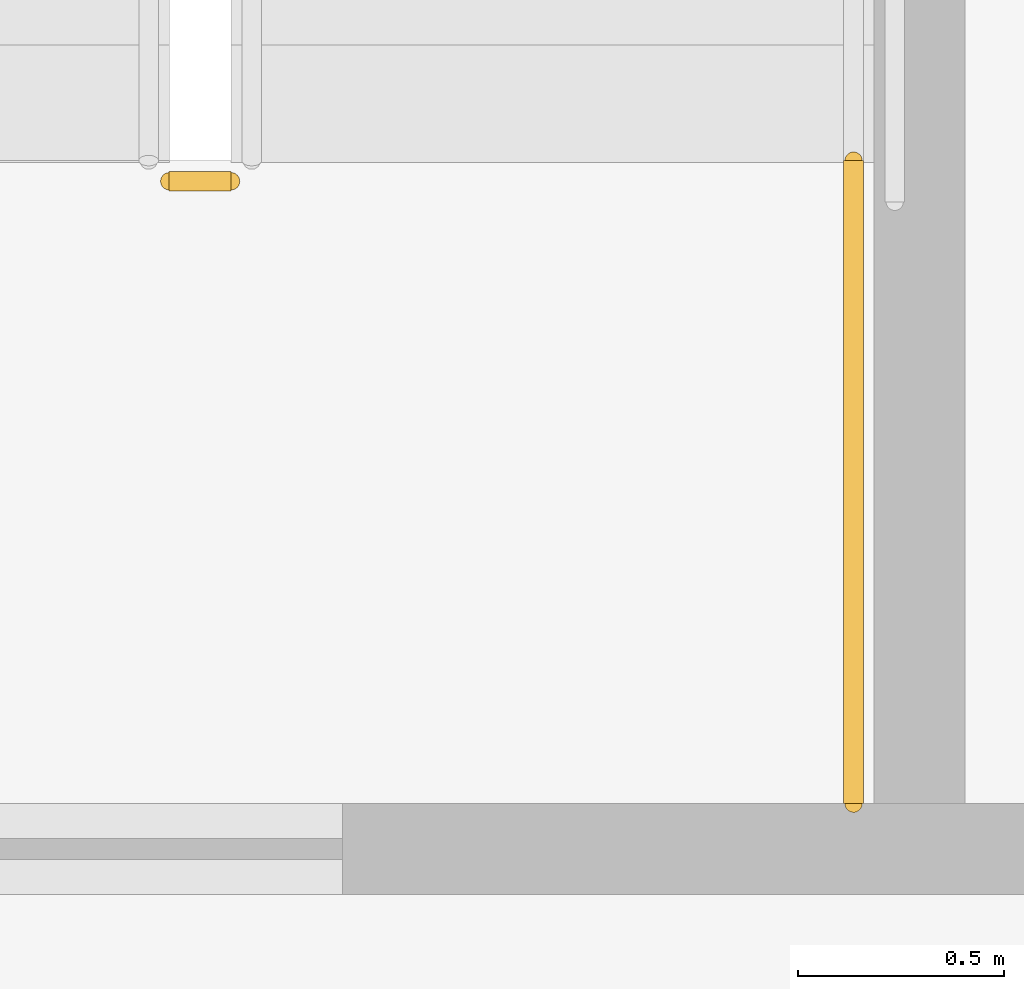
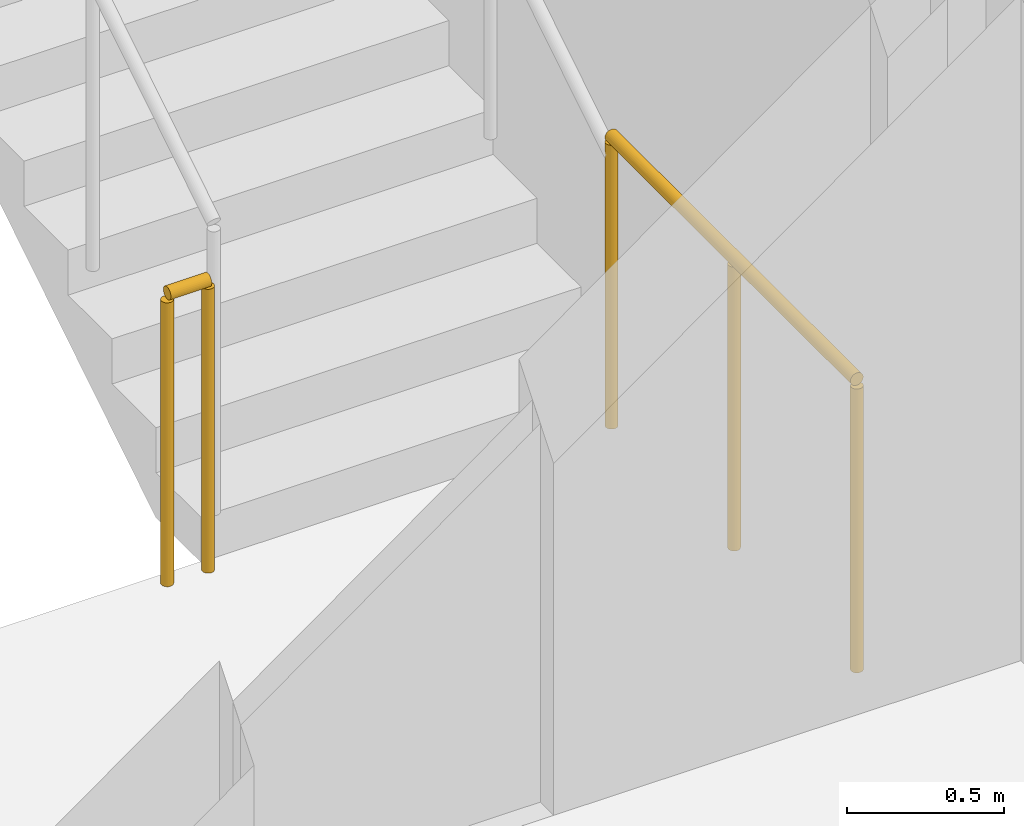
# One storey, part 12 of 15: 2 railings.
"""IFC4 building model written with IfcOpenShell, lengths in metres."""

import ifcopenshell
import ifcopenshell.guid

model = None  # the IFC model being written
_history = None  # IfcOwnerHistory: only IFC2X3 demands one
_inside = {}  # id of a spatial element -> (the spatial element, [elements in it])
_under = {}  # id of a project, library or spatial element -> (it, [spatial elements below it])
_declared = {}  # id of a project -> (the project, [libraries it declares])
_typed = {}  # id of a type object -> (the type object, [elements of that type])
_made_of = {}  # id of a material, layer set ... -> (it, [elements and type objects made of it])


def new_model(schema):
    """Start an empty IFC model of exactly this schema.

    Asked for "IFC4X3", IfcOpenShell would pick the latest addendum, in which some entities
    have other attributes; the version numbers below select the first issue.
    IFC2X3 requires an IfcOwnerHistory on every rooted entity: one is made here for all.
    """
    global model, _history
    if schema == "IFC4X3":
        model = ifcopenshell.file(schema_version=(4, 3, 0, 0))
    else:
        model = ifcopenshell.file(schema=schema)
    _inside.clear()
    _under.clear()
    _declared.clear()
    _typed.clear()
    _made_of.clear()
    _history = None
    if model.schema == "IFC2X3":
        org = make("IfcOrganization", Name="unknown")
        user = make(
            "IfcPersonAndOrganization",
            ThePerson=make("IfcPerson", FamilyName="unknown"),
            TheOrganization=org,
        )
        app = make(
            "IfcApplication",
            ApplicationDeveloper=org,
            Version="unknown",
            ApplicationFullName="unknown",
            ApplicationIdentifier="unknown",
        )
        _history = make(
            "IfcOwnerHistory",
            OwningUser=user,
            OwningApplication=app,
            ChangeAction="ADDED",
            CreationDate=0,
        )
    return model


def make(cls, **values):
    """One entity of the class cls with the attributes given. An attribute that is None is left unset."""
    return model.create_entity(
        cls, **{name: value for name, value in values.items() if value is not None}
    )


def rooted(cls, **values):
    """An entity with a GlobalId (a new one), such as an element, a storey or a relation."""
    return make(cls, GlobalId=ifcopenshell.guid.new(), OwnerHistory=_history, **values)


def si_unit(unit_type, name, prefix=None):
    """IfcSIUnit, for example si_unit("LENGTHUNIT", "METRE", prefix="MILLI")."""
    return make("IfcSIUnit", UnitType=unit_type, Prefix=prefix, Name=name)


def assignment(units):
    """IfcUnitAssignment: the units of a project."""
    return None if units is None else make("IfcUnitAssignment", Units=units)


def point(xyz):
    """IfcCartesianPoint."""
    return None if xyz is None else make("IfcCartesianPoint", Coordinates=xyz)


def direction(xyz):
    """IfcDirection."""
    return None if xyz is None else make("IfcDirection", DirectionRatios=xyz)


def frame(location, z_axis=None, x_axis=None):
    """IfcAxis2Placement3D, a coordinate frame: its origin and axes. An axis left out is left unset."""
    return make(
        "IfcAxis2Placement3D",
        Location=point(location),
        Axis=direction(z_axis),
        RefDirection=direction(x_axis),
    )


def frame_2d(location, x_axis=None):
    """IfcAxis2Placement2D, a coordinate frame in the plane: its origin and x axis."""
    return make(
        "IfcAxis2Placement2D", Location=point(location), RefDirection=direction(x_axis)
    )


def origin():
    """The frame at (0, 0, 0) with its axes left unset."""
    return frame((0.0, 0.0, 0.0))


def origin_2d():
    """The frame at (0, 0) in the plane with its x axis left unset."""
    return frame_2d((0.0, 0.0))


def place(relative_to, where):
    """IfcLocalPlacement: puts the frame where relative to a parent placement (None: the world)."""
    return make(
        "IfcLocalPlacement", PlacementRelTo=relative_to, RelativePlacement=where
    )


def context(
    kind, dimensions, precision=None, world=None, true_north=None, identifier=None
):
    """IfcGeometricRepresentationContext, for example the 3D "Model" context."""
    return make(
        "IfcGeometricRepresentationContext",
        ContextIdentifier=identifier,
        ContextType=kind,
        CoordinateSpaceDimension=dimensions,
        Precision=precision,
        WorldCoordinateSystem=world,
        TrueNorth=true_north,
    )


def subcontext(parent, identifier, kind, view, scale=None):
    """IfcGeometricRepresentationSubContext, for example "Body" below "Model"."""
    return make(
        "IfcGeometricRepresentationSubContext",
        ContextIdentifier=identifier,
        ContextType=kind,
        ParentContext=parent,
        TargetScale=scale,
        TargetView=view,
    )


def project(units=None, contexts=None):
    """IfcProject with its units and contexts."""
    return rooted(
        "IfcProject",
        Name="project",
        RepresentationContexts=contexts,
        UnitsInContext=assignment(units),
    )


def spatial(cls, under=None, at=None, **own):
    """A site, building, storey or space (cls), placed at a placement, below another one or the project."""
    s = rooted(cls, ObjectPlacement=at, **own)
    if under is not None:
        _under.setdefault(under.id(), (under, []))[1].append(s)
    return s


def profile(cls, at=None, kind="AREA", **sizes):
    """A parametric profile (cls). Its sizes go by their IFC names, for example OverallWidth=200.0."""
    return make(cls, ProfileType=kind, Position=at, **sizes)


def circle(**sizes):
    """IfcCircleProfileDef."""
    return profile("IfcCircleProfileDef", **sizes)


def extrude(swept, where, along, depth):
    """IfcExtrudedAreaSolid: the profile swept, set in the frame where, extruded along a direction by depth."""
    return make(
        "IfcExtrudedAreaSolid",
        SweptArea=swept,
        Position=where,
        ExtrudedDirection=direction(along),
        Depth=depth,
    )


def shape(context_of_items, identifier, shape_type, items):
    """IfcShapeRepresentation: the items that make up one representation, for example the "Body"."""
    return make(
        "IfcShapeRepresentation",
        ContextOfItems=context_of_items,
        RepresentationIdentifier=identifier,
        RepresentationType=shape_type,
        Items=items,
    )


def material(Name=None, Category=None):
    """IfcMaterial."""
    return make("IfcMaterial", Name=Name, Category=Category)


def made_of(thing, what):
    """Note that an element or type object is made of a material, layer set ...; save() writes the relation."""
    if what is not None:
        _made_of.setdefault(what.id(), (what, []))[1].append(thing)
    return thing


def type_object(cls, material=None, **own):
    """A type object (cls), such as IfcWallType, which elements share."""
    return made_of(rooted(cls, **own), material)


def element(
    cls,
    number,
    at=None,
    inside=None,
    cuts=None,
    type_object=None,
    material=None,
    context=None,
    identifier="Body",
    shape_type=None,
    held_by="IfcProductDefinitionShape",
    body=None,
    shapes=None,
    **own,
):
    """One element of the class cls, such as IfcWall. Its Tag is "e" and its number.

    at: its placement. inside: the storey or other place that contains it. cuts: it is an
    opening in that element (IfcRelVoidsElement). A single representation is given by context,
    identifier, shape_type and body (its items); several are given by shapes. held_by: the class
    of the entity that holds the representations. save() writes the other relations.
    """
    e = rooted(cls, Tag="e%d" % number, ObjectPlacement=at, **own)
    if body is not None:
        shapes = [shape(context, identifier, shape_type, body)]
    if shapes is not None:
        e.Representation = make(held_by, Representations=shapes)
    if inside is not None:
        _inside.setdefault(inside.id(), (inside, []))[1].append(e)
    if cuts is not None:
        rooted(
            "IfcRelVoidsElement", RelatingBuildingElement=cuts, RelatedOpeningElement=e
        )
    if type_object is not None:
        _typed.setdefault(type_object.id(), (type_object, []))[1].append(e)
    return made_of(e, material)


def aggregate(whole, parts):
    """IfcRelAggregates: a whole, such as a stair, and the parts it consists of."""
    return rooted("IfcRelAggregates", RelatingObject=whole, RelatedObjects=parts)


def save(model, path):
    """Write the relations noted so far, then the file.

    IfcRelAggregates (storeys below a building ...), IfcRelContainedInSpatialStructure (elements
    in a storey), IfcRelDefinesByType, IfcRelAssociatesMaterial and IfcRelDeclares: one each for
    every whole, place, type object, material and project.
    """
    for whole, parts in _under.values():
        aggregate(whole, parts)
    for where, things in _inside.values():
        rooted(
            "IfcRelContainedInSpatialStructure",
            RelatedElements=things,
            RelatingStructure=where,
        )
    for kind, things in _typed.values():
        rooted("IfcRelDefinesByType", RelatedObjects=things, RelatingType=kind)
    for what, things in _made_of.values():
        rooted("IfcRelAssociatesMaterial", RelatedObjects=things, RelatingMaterial=what)
    for by, libraries in _declared.values():
        rooted("IfcRelDeclares", RelatingContext=by, RelatedDefinitions=libraries)
    model.write(path)


model = new_model("IFC4")

# Units and contexts
model_context = context("Model", 3, precision=1e-05, world=origin(), true_north=direction((0.0, 1.0)))
body_context = subcontext(model_context, "Body", "Model", "MODEL_VIEW")
ifc_project = project(units=[si_unit("LENGTHUNIT", "METRE"), si_unit("AREAUNIT", "SQUARE_METRE"), si_unit("VOLUMEUNIT", "CUBIC_METRE"), si_unit("PLANEANGLEUNIT", "RADIAN"), si_unit("MASSUNIT", "GRAM", prefix="KILO")], contexts=[model_context])

# Site, building, storey
site_placement = place(None, origin())
site = spatial("IfcSite", under=ifc_project, at=site_placement, CompositionType="ELEMENT")
building_placement = place(site_placement, origin())
building = spatial("IfcBuilding", under=site, at=building_placement, Name="Khairoan Windgate Tower", CompositionType="ELEMENT")
storey_placement = place(building_placement, frame((0.0, 0.0, 131.0)))
storey = spatial("IfcBuildingStorey", under=building, at=storey_placement, Name="L30", CompositionType="ELEMENT", Elevation=131.0)

# Railings
ifc_material = material(Name="Steel S355", Category="steel")
railing_type = type_object("IfcRailingType", Name="Stairwell Safety Guardrail SGR-1150", PredefinedType="GUARDRAIL", material=ifc_material)
railing_1_placement = place(storey_placement, frame((-17.7099609375, 2.909912109375, 0.0)))
element("IfcRailing", 1, at=railing_1_placement, inside=storey, type_object=railing_type, Name="L30 ST2 stair guard 7", PredefinedType="GUARDRAIL", context=body_context, shape_type="SweptSolid", body=[
    extrude(circle(Radius=0.02392578125, at=origin_2d()), frame((0.0, 0.0, 1.1259765625), z_axis=(-1.0, 0.0, 0.0), x_axis=(0.0, -1.0, 0.0)), (0.0, 0.0, 1.0), 0.150146484375),
    extrude(circle(Radius=0.02099609375, at=origin_2d()), origin(), (0.0, 0.0, 1.0), 1.101806640625),
    extrude(circle(Radius=0.02099609375, at=origin_2d()), frame((-0.150146484375, 0.0, 0.0)), (0.0, 0.0, 1.0), 1.101806640625),
])
railing_2_placement = place(storey_placement, frame((-16.199951171875, 1.39990234375, 0.0)))
element("IfcRailing", 2, at=railing_2_placement, inside=storey, type_object=railing_type, Name="L30 ST2 stair guard 8", PredefinedType="GUARDRAIL", context=body_context, shape_type="SweptSolid", body=[
    extrude(circle(Radius=0.02392578125, at=origin_2d()), frame((0.0, 0.0, 1.1259765625), z_axis=(0.0, 1.0, 0.0), x_axis=(-1.0, 0.0, 0.0)), (0.0, 0.0, 1.0), 1.56005859375),
    extrude(circle(Radius=0.02099609375, at=origin_2d()), origin(), (0.0, 0.0, 1.0), 1.101806640625),
    extrude(circle(Radius=0.02099609375, at=origin_2d()), frame((0.0, 0.780029296875, 0.0)), (0.0, 0.0, 1.0), 1.101806640625),
    extrude(circle(Radius=0.02099609375, at=origin_2d()), frame((0.0, 1.56005859375, 0.0)), (0.0, 0.0, 1.0), 1.101806640625),
])

save(model, "model.ifc")
